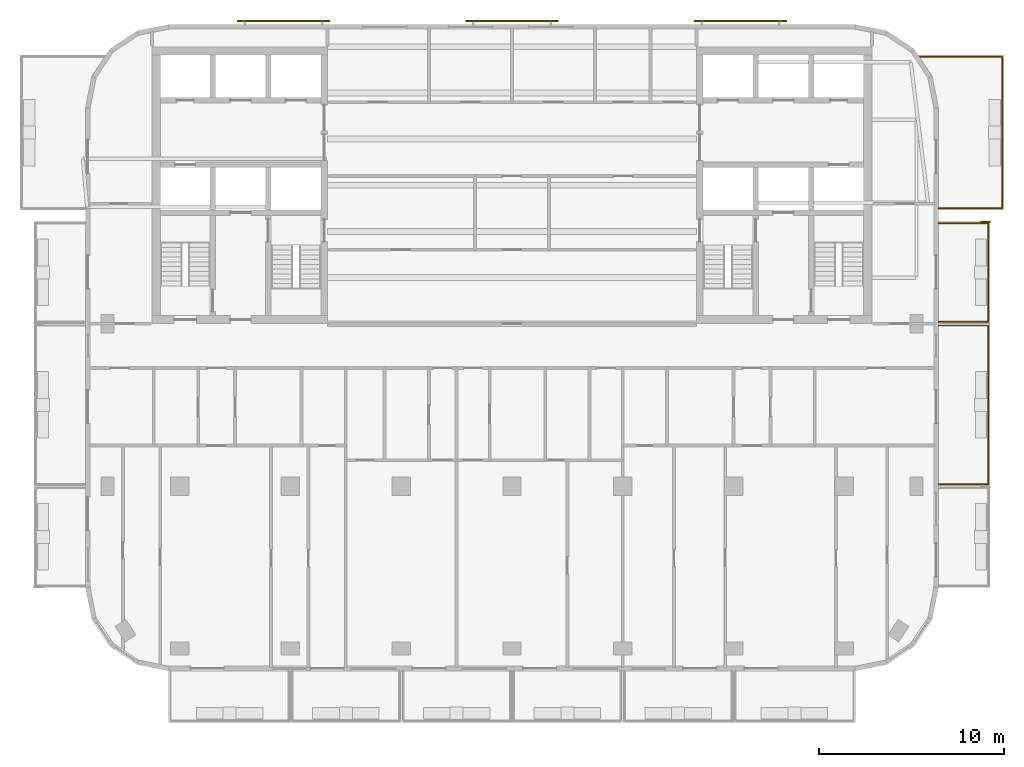
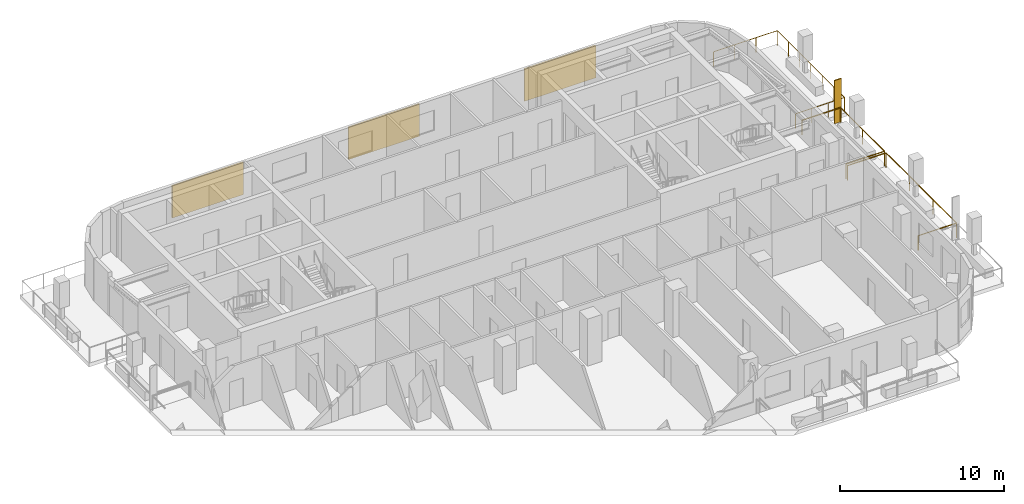
# One storey, part 10 of 11: 4 shading devices, 3 railings.
"""IFC4 building model written with IfcOpenShell, lengths in metres."""

from ifc_helpers import new_model, si_unit, direction, frame, origin, origin_2d, place, context, subcontext, project, spatial, rectangle, circle, extrude, material, layer, layer_set, type_object, element, save


model = new_model("IFC4")

# Units and contexts
model_context = context("Model", 3, precision=1e-05, world=origin(), true_north=direction((0.0, 1.0)))
body_context = subcontext(model_context, "Body", "Model", "MODEL_VIEW")
ifc_project = project(units=[si_unit("LENGTHUNIT", "METRE"), si_unit("AREAUNIT", "SQUARE_METRE"), si_unit("VOLUMEUNIT", "CUBIC_METRE"), si_unit("PLANEANGLEUNIT", "RADIAN"), si_unit("MASSUNIT", "GRAM", prefix="KILO")], contexts=[model_context])

# Site, building, storey
site_placement = place(None, origin())
site = spatial("IfcSite", under=ifc_project, at=site_placement, CompositionType="ELEMENT")
building_placement = place(site_placement, origin())
building = spatial("IfcBuilding", under=site, at=building_placement, Name="Torana Hotel and Residences", CompositionType="ELEMENT")
storey_placement = place(building_placement, frame((0.0, 0.0, 305.10009765625)))
storey = spatial("IfcBuildingStorey", under=building, at=storey_placement, Name="L81", CompositionType="ELEMENT", Elevation=305.10009765625)

# Shading device
ifc_material_1 = material(Name="Black powder coated aluminium", Category="aluminium")
ifc_layer_1 = layer(ifc_material_1, 0.080078125)
ifc_layer_set_1 = layer_set([ifc_layer_1], Name="FN1 VERTICAL FIN 500x80")
shading_device_type_1 = type_object("IfcShadingDeviceType", Name="FN1 VERTICAL FIN 500x80", PredefinedType="USERDEFINED", material=ifc_layer_set_1)
shading_device_placement = place(storey_placement, frame((25.64990234375, -9.489990234375, 0.0), z_axis=(0.0, 0.0, 1.0), x_axis=(0.0, -1.0, 0.0)))
element("IfcShadingDevice", 1, at=shading_device_placement, inside=storey, type_object=shading_device_type_1, Name="Fin 13", ObjectType="FIN", PredefinedType="USERDEFINED", context=body_context, shape_type="SweptSolid", body=[
    extrude(rectangle(XDim=0.080078125, YDim=0.5, at=origin_2d()), origin(), (0.0, 0.0, 1.0), 3.199951171875),
])

# Railings
ifc_material_2 = material(Name="Laminated glass balustrade with black handrail", Category="glass")
railing_type = type_object("IfcRailingType", Name="GR1 BALCONY GUARD 1100 GLASS", PredefinedType="GUARDRAIL", material=ifc_material_2)
railing_1_placement = place(storey_placement, frame((23.10009765625, -15.10009765625, 0.0)))
element("IfcRailing", 2, at=railing_1_placement, inside=storey, type_object=railing_type, Name="Balcony guard 12", PredefinedType="GUARDRAIL", context=body_context, shape_type="SweptSolid", body=[
    extrude(circle(Radius=0.02392578125, at=origin_2d()), frame((0.0, 0.0, 1.076171875), z_axis=(1.0, 0.0, 0.0), x_axis=(0.0, 1.0, 0.0)), (0.0, 0.0, 1.0), 2.699951171875),
    extrude(circle(Radius=0.02392578125, at=origin_2d()), frame((2.699951171875, 0.0, 1.076171875), z_axis=(0.0, -1.0, 0.0), x_axis=(1.0, 0.0, 0.0)), (0.0, 0.0, 1.0), 8.599853515625),
    extrude(circle(Radius=0.02392578125, at=origin_2d()), frame((2.699951171875, -8.599853515625, 1.076171875), z_axis=(-1.0, 0.0, 0.0), x_axis=(0.0, -1.0, 0.0)), (0.0, 0.0, 1.0), 2.699951171875),
    extrude(circle(Radius=0.02099609375, at=origin_2d()), origin(), (0.0, 0.0, 1.0), 1.052001953125),
    extrude(circle(Radius=0.02099609375, at=origin_2d()), frame((2.699951171875, 0.0, 0.0)), (0.0, 0.0, 1.0), 1.052001953125),
    extrude(circle(Radius=0.02099609375, at=origin_2d()), frame((2.699951171875, -2.86669921875, 0.0)), (0.0, 0.0, 1.0), 1.052001953125),
    extrude(circle(Radius=0.02099609375, at=origin_2d()), frame((2.699951171875, -5.733154296875, 0.0)), (0.0, 0.0, 1.0), 1.052001953125),
    extrude(circle(Radius=0.02099609375, at=origin_2d()), frame((2.699951171875, -8.599853515625, 0.0)), (0.0, 0.0, 1.0), 1.052001953125),
    extrude(circle(Radius=0.02099609375, at=origin_2d()), frame((0.0, -8.599853515625, 0.0)), (0.0, 0.0, 1.0), 1.052001953125),
])
railing_2_placement = place(storey_placement, frame((23.10009765625, -9.550048828125, 0.0)))
element("IfcRailing", 3, at=railing_2_placement, inside=storey, type_object=railing_type, Name="Balcony guard 13", PredefinedType="GUARDRAIL", context=body_context, shape_type="SweptSolid", body=[
    extrude(circle(Radius=0.02392578125, at=origin_2d()), frame((0.0, 0.0, 1.076171875), z_axis=(1.0, 0.0, 0.0), x_axis=(0.0, 1.0, 0.0)), (0.0, 0.0, 1.0), 2.699951171875),
    extrude(circle(Radius=0.02392578125, at=origin_2d()), frame((2.699951171875, 0.0, 1.076171875), z_axis=(0.0, -1.0, 0.0), x_axis=(1.0, 0.0, 0.0)), (0.0, 0.0, 1.0), 5.349853515625),
    extrude(circle(Radius=0.02392578125, at=origin_2d()), frame((2.699951171875, -5.349853515625, 1.076171875), z_axis=(-1.0, 0.0, 0.0), x_axis=(0.0, -1.0, 0.0)), (0.0, 0.0, 1.0), 2.699951171875),
    extrude(circle(Radius=0.02099609375, at=origin_2d()), origin(), (0.0, 0.0, 1.0), 1.052001953125),
    extrude(circle(Radius=0.02099609375, at=origin_2d()), frame((2.699951171875, 0.0, 0.0)), (0.0, 0.0, 1.0), 1.052001953125),
    extrude(circle(Radius=0.02099609375, at=origin_2d()), frame((2.699951171875, -2.6748046875, 0.0)), (0.0, 0.0, 1.0), 1.052001953125),
    extrude(circle(Radius=0.02099609375, at=origin_2d()), frame((2.699951171875, -5.349853515625, 0.0)), (0.0, 0.0, 1.0), 1.052001953125),
    extrude(circle(Radius=0.02099609375, at=origin_2d()), frame((0.0, -5.349853515625, 0.0)), (0.0, 0.0, 1.0), 1.052001953125),
])
railing_3_placement = place(storey_placement, frame((22.07080078125, -0.550048828125, 0.0)))
element("IfcRailing", 4, at=railing_3_placement, inside=storey, type_object=railing_type, Name="Balcony guard 14", PredefinedType="GUARDRAIL", context=body_context, shape_type="SweptSolid", body=[
    extrude(circle(Radius=0.02392578125, at=origin_2d()), frame((0.0, 0.0, 1.076171875), z_axis=(1.0, 0.0, 0.0), x_axis=(0.0, 1.0, 0.0)), (0.0, 0.0, 1.0), 4.479248046875),
    extrude(circle(Radius=0.02392578125, at=origin_2d()), frame((4.479248046875, 0.0, 1.076171875), z_axis=(0.0, -1.0, 0.0), x_axis=(1.0, 0.0, 0.0)), (0.0, 0.0, 1.0), 8.199951171875),
    extrude(circle(Radius=0.02392578125, at=origin_2d()), frame((4.479248046875, -8.199951171875, 1.076171875), z_axis=(-1.0, 0.0, 0.0), x_axis=(0.0, -1.0, 0.0)), (0.0, 0.0, 1.0), 3.449951171875),
    extrude(circle(Radius=0.02099609375, at=origin_2d()), origin(), (0.0, 0.0, 1.0), 1.052001953125),
    extrude(circle(Radius=0.02099609375, at=origin_2d()), frame((1.4931640625, 0.0, 0.0)), (0.0, 0.0, 1.0), 1.052001953125),
    extrude(circle(Radius=0.02099609375, at=origin_2d()), frame((2.986083984375, 0.0, 0.0)), (0.0, 0.0, 1.0), 1.052001953125),
    extrude(circle(Radius=0.02099609375, at=origin_2d()), frame((4.479248046875, 0.0, 0.0)), (0.0, 0.0, 1.0), 1.052001953125),
    extrude(circle(Radius=0.02099609375, at=origin_2d()), frame((4.479248046875, -1.36669921875, 0.0)), (0.0, 0.0, 1.0), 1.052001953125),
    extrude(circle(Radius=0.02099609375, at=origin_2d()), frame((4.479248046875, -2.7333984375, 0.0)), (0.0, 0.0, 1.0), 1.052001953125),
    extrude(circle(Radius=0.02099609375, at=origin_2d()), frame((4.479248046875, -4.10009765625, 0.0)), (0.0, 0.0, 1.0), 1.052001953125),
    extrude(circle(Radius=0.02099609375, at=origin_2d()), frame((4.479248046875, -5.466552734375, 0.0)), (0.0, 0.0, 1.0), 1.052001953125),
    extrude(circle(Radius=0.02099609375, at=origin_2d()), frame((4.479248046875, -6.833251953125, 0.0)), (0.0, 0.0, 1.0), 1.052001953125),
    extrude(circle(Radius=0.02099609375, at=origin_2d()), frame((4.479248046875, -8.199951171875, 0.0)), (0.0, 0.0, 1.0), 1.052001953125),
    extrude(circle(Radius=0.02099609375, at=origin_2d()), frame((3.329345703125, -8.199951171875, 0.0)), (0.0, 0.0, 1.0), 1.052001953125),
    extrude(circle(Radius=0.02099609375, at=origin_2d()), frame((2.17919921875, -8.199951171875, 0.0)), (0.0, 0.0, 1.0), 1.052001953125),
    extrude(circle(Radius=0.02099609375, at=origin_2d()), frame((1.029296875, -8.199951171875, 0.0)), (0.0, 0.0, 1.0), 1.052001953125),
])

# Shading devices
ifc_material_3 = material(Name="Concrete C40/50 precast", Category="concrete")
ifc_layer_2 = layer(ifc_material_3, 0.10009765625)
ifc_layer_set_2 = layer_set([ifc_layer_2], Name="SC1 PERFORATED BLOCK SCREEN PANEL 100")
shading_device_type_2 = type_object("IfcShadingDeviceType", Name="SC1 PERFORATED BLOCK SCREEN PANEL 100", PredefinedType="USERDEFINED", material=ifc_layer_set_2)
for number, where, z_axis, x_axis, name in (
    (5, (12.383544921875, 1.39990234375, 0.5), (0.0, 0.0, 1.0), (-1.0, 0.0, 0.0), "Perforated block screen L81"),
    (6, (0.0, 1.39990234375, 0.5), (0.0, 0.0, 1.0), (-1.0, 0.0, 0.0), "Perforated block screen L81"),
    (7, (-12.383544921875, 1.39990234375, 0.5), (0.0, 0.0, 1.0), (-1.0, 0.0, 0.0), "Perforated block screen L81"),
):
    element("IfcShadingDevice", number, at=place(storey_placement, frame(where, z_axis=z_axis, x_axis=x_axis)), inside=storey, type_object=shading_device_type_2, Name=name, ObjectType="SCREEN", PredefinedType="USERDEFINED", context=body_context, shape_type="SweptSolid", body=[
        extrude(rectangle(XDim=5.0, YDim=0.10009765625, at=origin_2d()), origin(), (0.0, 0.0, 1.0), 2.39990234375),
    ])

save(model, "model.ifc")
